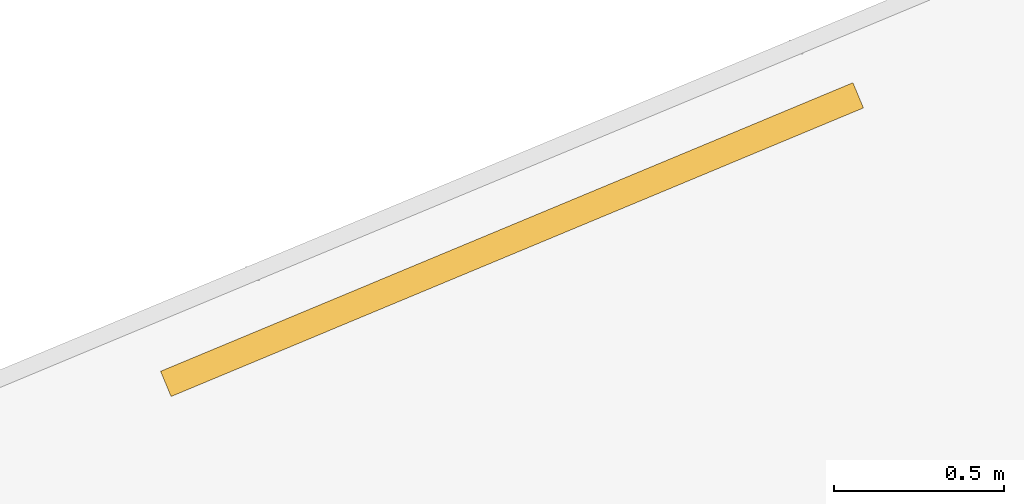
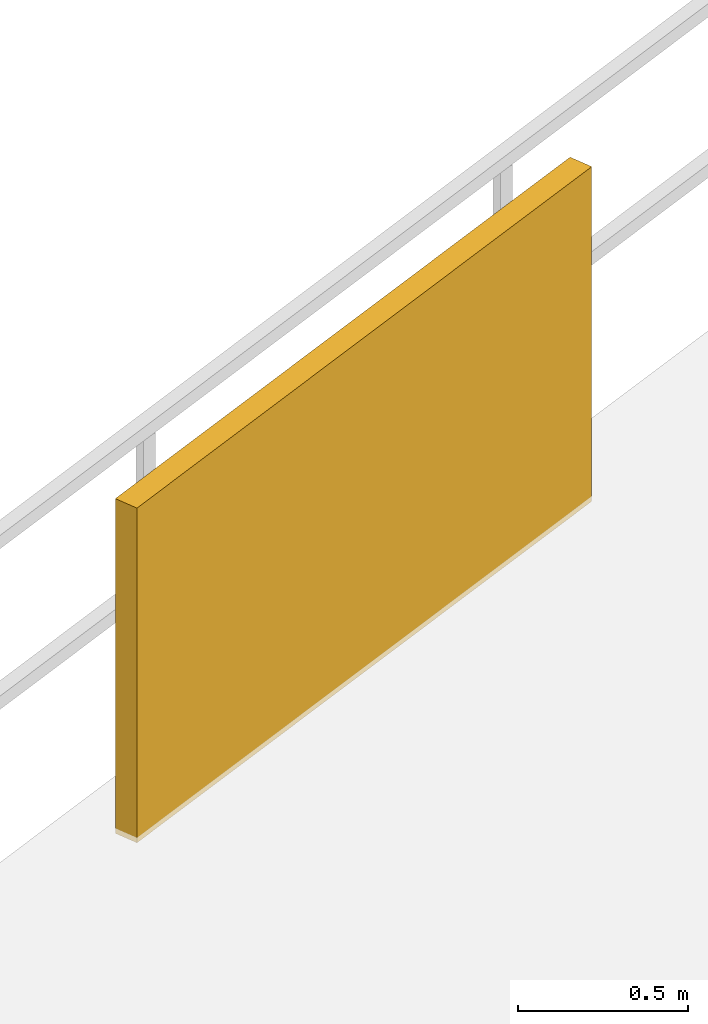
# One storey, part 28 of 29: 1 shading device.
"""IFC4 building model written with IfcOpenShell, lengths in metres."""

from ifc_helpers import new_model, si_unit, direction, frame, origin, origin_2d, place, context, subcontext, project, spatial, rectangle, extrude, material, type_object, element, save


model = new_model("IFC4")

# Units and contexts
model_context = context("Model", 3, precision=1e-05, world=origin(), true_north=direction((0.0, 1.0)))
body_context = subcontext(model_context, "Body", "Model", "MODEL_VIEW")
ifc_project = project(units=[si_unit("LENGTHUNIT", "METRE"), si_unit("AREAUNIT", "SQUARE_METRE"), si_unit("VOLUMEUNIT", "CUBIC_METRE"), si_unit("PLANEANGLEUNIT", "RADIAN"), si_unit("MASSUNIT", "GRAM", prefix="KILO")], contexts=[model_context])

# Site, building, storey
site_placement = place(None, origin())
site = spatial("IfcSite", under=ifc_project, at=site_placement, CompositionType="ELEMENT")
building_placement = place(site_placement, origin())
building = spatial("IfcBuilding", under=site, at=building_placement, Name="Vorneva Point Tower", CompositionType="ELEMENT")
storey_placement = place(building_placement, frame((0.0, 0.0, 110.300048828125)))
storey = spatial("IfcBuildingStorey", under=building, at=storey_placement, Name="L29", CompositionType="ELEMENT", Elevation=110.300048828125)

# Shading device
ifc_material = material(Name="Pale anodised aluminium", Category="aluminium")
shading_device_type = type_object("IfcShadingDeviceType", Name="SHD-JAL-1200", PredefinedType="JALOUSIE", material=ifc_material)
shading_device_placement = place(storey_placement, frame((20.087158203125, 43.017822265625, -0.02001953125), z_axis=(0.0, 0.0, 1.0), x_axis=(-0.923042448768, -0.384698112514, 0.0)))
element("IfcShadingDevice", 1, at=shading_device_placement, inside=storey, type_object=shading_device_type, Name="L29 Balcony Vertical-Greenery Planter Screen NW.2", PredefinedType="JALOUSIE", context=body_context, shape_type="SweptSolid", body=[
    extrude(rectangle(XDim=2.199951171875, YDim=0.080078125, at=origin_2d()), origin(), (0.0, 0.0, 1.0), 1.199951171875),
])

save(model, "model.ifc")
